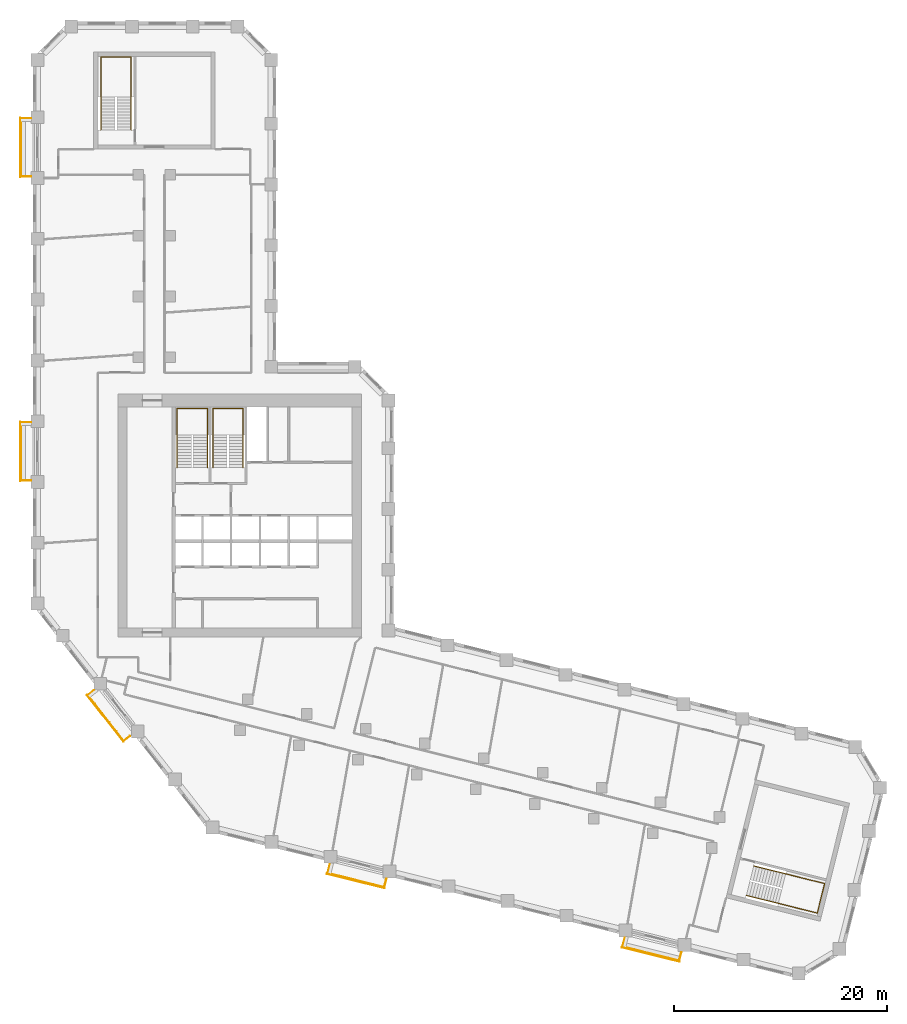
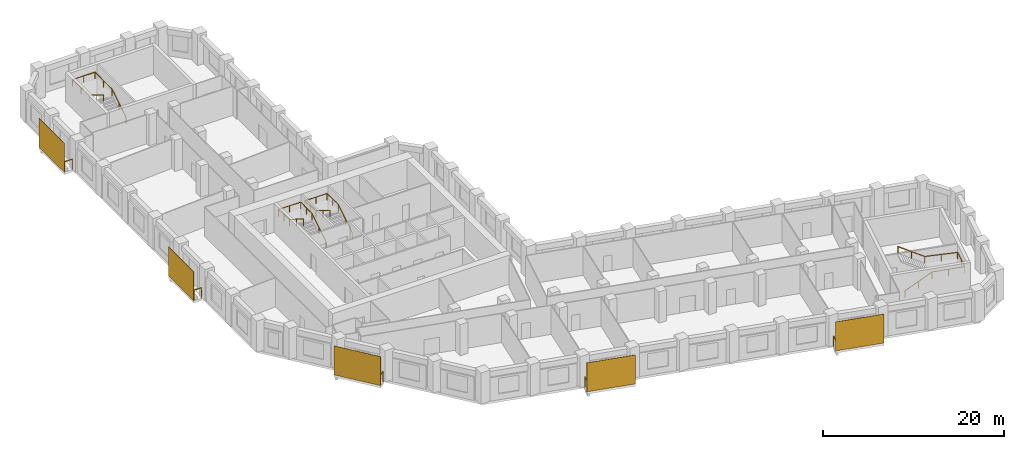
# One storey, part 10 of 10: 9 railings, 5 shading devices.
"""IFC4 building model written with IfcOpenShell, lengths in metres."""

from ifc_helpers import new_model, si_unit, direction, frame, origin, origin_2d, place, context, subcontext, project, spatial, rectangle, circle, extrude, material, layer, layer_set, type_object, element, save


model = new_model("IFC4")

# Units and contexts
model_context = context("Model", 3, precision=1e-05, world=origin(), true_north=direction((0.0, 1.0)))
body_context = subcontext(model_context, "Body", "Model", "MODEL_VIEW")
ifc_project = project(units=[si_unit("LENGTHUNIT", "METRE"), si_unit("AREAUNIT", "SQUARE_METRE"), si_unit("VOLUMEUNIT", "CUBIC_METRE"), si_unit("PLANEANGLEUNIT", "RADIAN"), si_unit("MASSUNIT", "GRAM", prefix="KILO")], contexts=[model_context])

# Site, building, storey
site_placement = place(None, origin())
site = spatial("IfcSite", under=ifc_project, at=site_placement, CompositionType="ELEMENT")
building_placement = place(site_placement, origin())
building = spatial("IfcBuilding", under=site, at=building_placement, Name="Meshkara Civic Tower", CompositionType="ELEMENT")
storey_placement = place(building_placement, frame((0.0, 0.0, 207.60009765625)))
storey = spatial("IfcBuildingStorey", under=building, at=storey_placement, Name="L47", CompositionType="ELEMENT", Elevation=207.60009765625)

# Railings
ifc_material_1 = material(Name="Steel S355", Category="steel")
railing_type_1 = type_object("IfcRailingType", Name="BALUSTRADE GUARD 1400", PredefinedType="BALUSTRADE", material=ifc_material_1)
for number, where, name in (
    (1, (-0.14990234375, 62.735107421875, 0.0), "Balcony guard"),
    (2, (-0.14990234375, 34.235107421875, 0.0), "Balcony guard"),
):
    element("IfcRailing", number, at=place(storey_placement, frame(where)), inside=storey, type_object=railing_type_1, Name=name, PredefinedType="BALUSTRADE", context=body_context, shape_type="SweptSolid", body=[
        extrude(circle(Radius=0.02392578125, at=origin_2d()), frame((0.0, 0.0, 1.3759765625), z_axis=(-1.0, 0.0, 0.0), x_axis=(0.0, -1.0, 0.0)), (0.0, 0.0, 1.0), 0.960205078125),
        extrude(circle(Radius=0.02392578125, at=origin_2d()), frame((-0.960205078125, 0.0, 1.3759765625), z_axis=(0.0, -1.0, 0.0), x_axis=(1.0, 0.0, 0.0)), (0.0, 0.0, 1.0), 5.460205078125),
        extrude(circle(Radius=0.02392578125, at=origin_2d()), frame((-0.960205078125, -5.460205078125, 1.3759765625), z_axis=(1.0, 0.0, 0.0), x_axis=(0.0, 1.0, 0.0)), (0.0, 0.0, 1.0), 0.960205078125),
        extrude(circle(Radius=0.02099609375, at=origin_2d()), origin(), (0.0, 0.0, 1.0), 1.351806640625),
        extrude(circle(Radius=0.02099609375, at=origin_2d()), frame((-0.960205078125, 0.0, 0.0)), (0.0, 0.0, 1.0), 1.351806640625),
        extrude(circle(Radius=0.02099609375, at=origin_2d()), frame((-0.960205078125, -1.092041015625, 0.0)), (0.0, 0.0, 1.0), 1.351806640625),
        extrude(circle(Radius=0.02099609375, at=origin_2d()), frame((-0.960205078125, -2.18408203125, 0.0)), (0.0, 0.0, 1.0), 1.351806640625),
        extrude(circle(Radius=0.02099609375, at=origin_2d()), frame((-0.960205078125, -3.276123046875, 0.0)), (0.0, 0.0, 1.0), 1.351806640625),
        extrude(circle(Radius=0.02099609375, at=origin_2d()), frame((-0.960205078125, -4.3681640625, 0.0)), (0.0, 0.0, 1.0), 1.351806640625),
        extrude(circle(Radius=0.02099609375, at=origin_2d()), frame((-0.960205078125, -5.460205078125, 0.0)), (0.0, 0.0, 1.0), 1.351806640625),
        extrude(circle(Radius=0.02099609375, at=origin_2d()), frame((0.0, -5.460205078125, 0.0)), (0.0, 0.0, 1.0), 1.351806640625),
    ])
railing_1_placement = place(storey_placement, frame((5.73388671875, 9.1240234375, 0.0)))
element("IfcRailing", 3, at=railing_1_placement, inside=storey, type_object=railing_type_1, Name="Balcony guard", PredefinedType="BALUSTRADE", context=body_context, shape_type="SweptSolid", body=[
    extrude(circle(Radius=0.02392578125, at=origin_2d()), frame((0.0, 0.0, 1.3759765625), z_axis=(-0.788014065721, -0.615657235989, 0.0), x_axis=(0.615657235989, -0.788014065721, 0.0)), (0.0, 0.0, 1.0), 0.71826171875),
    extrude(circle(Radius=0.02392578125, at=origin_2d()), frame((-0.56591796875, -0.442138671875, 1.3759765625), z_axis=(0.615684818606, -0.787992515281, 0.0), x_axis=(0.787992515281, 0.615684818606, 0.0)), (0.0, 0.0, 1.0), 5.460693359375),
    extrude(circle(Radius=0.02392578125, at=origin_2d()), frame((2.796142578125, -4.7451171875, 1.3759765625), z_axis=(0.788014065721, 0.615657235989, 0.0), x_axis=(-0.615657235989, 0.788014065721, 0.0)), (0.0, 0.0, 1.0), 0.71826171875),
    extrude(circle(Radius=0.02099609375, at=origin_2d()), origin(), (0.0, 0.0, 1.0), 1.351806640625),
    extrude(circle(Radius=0.02099609375, at=origin_2d()), frame((-0.56591796875, -0.442138671875, 0.0)), (0.0, 0.0, 1.0), 1.351806640625),
    extrude(circle(Radius=0.02099609375, at=origin_2d()), frame((0.1064453125, -1.302734375, 0.0)), (0.0, 0.0, 1.0), 1.351806640625),
    extrude(circle(Radius=0.02099609375, at=origin_2d()), frame((0.77880859375, -2.163330078125, 0.0)), (0.0, 0.0, 1.0), 1.351806640625),
    extrude(circle(Radius=0.02099609375, at=origin_2d()), frame((1.451416015625, -3.02392578125, 0.0)), (0.0, 0.0, 1.0), 1.351806640625),
    extrude(circle(Radius=0.02099609375, at=origin_2d()), frame((2.123779296875, -3.884521484375, 0.0)), (0.0, 0.0, 1.0), 1.351806640625),
    extrude(circle(Radius=0.02099609375, at=origin_2d()), frame((2.796142578125, -4.7451171875, 0.0)), (0.0, 0.0, 1.0), 1.351806640625),
    extrude(circle(Radius=0.02099609375, at=origin_2d()), frame((3.362060546875, -4.302978515625, 0.0)), (0.0, 0.0, 1.0), 1.351806640625),
])
railing_2_placement = place(storey_placement, frame((27.85302734375, -7.22998046875, 0.0)))
element("IfcRailing", 4, at=railing_2_placement, inside=storey, type_object=railing_type_1, Name="Balcony guard", PredefinedType="BALUSTRADE", context=body_context, shape_type="SweptSolid", body=[
    extrude(circle(Radius=0.02392578125, at=origin_2d()), frame((0.0, 0.0, 1.3759765625), z_axis=(-0.242673544463, -0.970108009872, 0.0), x_axis=(0.970108009872, -0.242673544463, 0.0)), (0.0, 0.0, 1.0), 0.8330078125),
    extrude(circle(Radius=0.02392578125, at=origin_2d()), frame((-0.2021484375, -0.80810546875, 1.3759765625), z_axis=(0.970302726319, -0.241893818229, 0.0), x_axis=(0.241893818229, 0.970302726319, 0.0)), (0.0, 0.0, 1.0), 5.460205078125),
    extrude(circle(Radius=0.02392578125, at=origin_2d()), frame((5.095947265625, -2.12890625, 1.3759765625), z_axis=(0.242466638965, 0.970159744057, 0.0), x_axis=(-0.970159744057, 0.242466638965, 0.0)), (0.0, 0.0, 1.0), 0.832763671875),
    extrude(circle(Radius=0.02099609375, at=origin_2d()), origin(), (0.0, 0.0, 1.0), 1.351806640625),
    extrude(circle(Radius=0.02099609375, at=origin_2d()), frame((-0.2021484375, -0.80810546875, 0.0)), (0.0, 0.0, 1.0), 1.351806640625),
    extrude(circle(Radius=0.02099609375, at=origin_2d()), frame((0.857421875, -1.072265625, 0.0)), (0.0, 0.0, 1.0), 1.351806640625),
    extrude(circle(Radius=0.02099609375, at=origin_2d()), frame((1.9169921875, -1.33642578125, 0.0)), (0.0, 0.0, 1.0), 1.351806640625),
    extrude(circle(Radius=0.02099609375, at=origin_2d()), frame((2.976806640625, -1.6005859375, 0.0)), (0.0, 0.0, 1.0), 1.351806640625),
    extrude(circle(Radius=0.02099609375, at=origin_2d()), frame((4.036376953125, -1.86474609375, 0.0)), (0.0, 0.0, 1.0), 1.351806640625),
    extrude(circle(Radius=0.02099609375, at=origin_2d()), frame((5.095947265625, -2.12890625, 0.0)), (0.0, 0.0, 1.0), 1.351806640625),
    extrude(circle(Radius=0.02099609375, at=origin_2d()), frame((5.2978515625, -1.321044921875, 0.0)), (0.0, 0.0, 1.0), 1.351806640625),
])
railing_3_placement = place(storey_placement, frame((55.506103515625, -14.125, 0.0)))
element("IfcRailing", 5, at=railing_3_placement, inside=storey, type_object=railing_type_1, Name="Balcony guard", PredefinedType="BALUSTRADE", context=body_context, shape_type="SweptSolid", body=[
    extrude(circle(Radius=0.02392578125, at=origin_2d()), frame((0.0, 0.0, 1.3759765625), z_axis=(-0.241569777604, -0.970383451296, 0.0), x_axis=(0.970383451296, -0.241569777604, 0.0)), (0.0, 0.0, 1.0), 0.832763671875),
    extrude(circle(Radius=0.02392578125, at=origin_2d()), frame((-0.201171875, -0.80810546875, 1.3759765625), z_axis=(0.970302726319, -0.241893818229, 0.0), x_axis=(0.241893818229, 0.970302726319, 0.0)), (0.0, 0.0, 1.0), 5.460205078125),
    extrude(circle(Radius=0.02392578125, at=origin_2d()), frame((5.096923828125, -2.12890625, 1.3759765625), z_axis=(0.242466638965, 0.970159744057, 0.0), x_axis=(-0.970159744057, 0.242466638965, 0.0)), (0.0, 0.0, 1.0), 0.832763671875),
    extrude(circle(Radius=0.02099609375, at=origin_2d()), origin(), (0.0, 0.0, 1.0), 1.351806640625),
    extrude(circle(Radius=0.02099609375, at=origin_2d()), frame((-0.201171875, -0.80810546875, 0.0)), (0.0, 0.0, 1.0), 1.351806640625),
    extrude(circle(Radius=0.02099609375, at=origin_2d()), frame((0.8583984375, -1.072265625, 0.0)), (0.0, 0.0, 1.0), 1.351806640625),
    extrude(circle(Radius=0.02099609375, at=origin_2d()), frame((1.91796875, -1.33642578125, 0.0)), (0.0, 0.0, 1.0), 1.351806640625),
    extrude(circle(Radius=0.02099609375, at=origin_2d()), frame((2.977783203125, -1.6005859375, 0.0)), (0.0, 0.0, 1.0), 1.351806640625),
    extrude(circle(Radius=0.02099609375, at=origin_2d()), frame((4.037353515625, -1.86474609375, 0.0)), (0.0, 0.0, 1.0), 1.351806640625),
    extrude(circle(Radius=0.02099609375, at=origin_2d()), frame((5.096923828125, -2.12890625, 0.0)), (0.0, 0.0, 1.0), 1.351806640625),
    extrude(circle(Radius=0.02099609375, at=origin_2d()), frame((5.298828125, -1.321044921875, 0.0)), (0.0, 0.0, 1.0), 1.351806640625),
])

# Shading devices
ifc_material_2 = material(Name="Perforated bronze anodised aluminium sheet", Category="aluminium")
ifc_layer = layer(ifc_material_2, 0.0400390625)
ifc_layer_set = layer_set([ifc_layer], Name="PERFORATED BRONZE SCREEN")
shading_device_type = type_object("IfcShadingDeviceType", Name="PERFORATED BRONZE SCREEN", PredefinedType="USERDEFINED", material=ifc_layer_set)
for number, where, z_axis, x_axis, name in (
    (6, (-1.179931640625, 60.0048828125, 0.0), (0.0, 0.0, 1.0), (0.0, -1.0, 0.0), "Balcony screen"),
    (7, (-1.179931640625, 31.5048828125, 0.0), (0.0, 0.0, 1.0), (0.0, -1.0, 0.0), "Balcony screen"),
):
    element("IfcShadingDevice", number, at=place(storey_placement, frame(where, z_axis=z_axis, x_axis=x_axis)), inside=storey, type_object=shading_device_type, Name=name, ObjectType="SCREEN", PredefinedType="USERDEFINED", context=body_context, shape_type="SweptSolid", body=[
        extrude(rectangle(XDim=5.580078125, YDim=0.0400390625, at=origin_2d()), origin(), (0.0, 0.0, 1.0), 3.89990234375),
    ])
shading_device_placement = place(storey_placement, frame((6.7939453125, 6.488037109375, 0.0), z_axis=(0.0, 0.0, 1.0), x_axis=(0.615661475326, -0.788010753607, 0.0)))
element("IfcShadingDevice", 8, at=shading_device_placement, inside=storey, type_object=shading_device_type, Name="Balcony screen", ObjectType="SCREEN", PredefinedType="USERDEFINED", context=body_context, shape_type="SweptSolid", body=[
    extrude(rectangle(XDim=5.5810546875, YDim=0.0400390625, at=origin_2d()), origin(), (0.0, 0.0, 1.0), 3.89990234375),
])
for number, where, z_axis, x_axis, name in (
    (9, (30.282958984375, -8.76708984375, 0.0), (0.0, 0.0, 1.0), (0.970299948462, -0.241904960708, 0.0), "Balcony screen"),
    (10, (57.93701171875, -15.660888671875, 0.0), (0.0, 0.0, 1.0), (0.970299948462, -0.241904960708, 0.0), "Balcony screen"),
):
    element("IfcShadingDevice", number, at=place(storey_placement, frame(where, z_axis=z_axis, x_axis=x_axis)), inside=storey, type_object=shading_device_type, Name=name, ObjectType="SCREEN", PredefinedType="USERDEFINED", context=body_context, shape_type="SweptSolid", body=[
        extrude(rectangle(XDim=5.580078125, YDim=0.0400390625, at=origin_2d()), origin(), (0.0, 0.0, 1.0), 3.89990234375),
    ])

# Railings
ifc_material_3 = material(Name="Steel handrail", Category="steel")
railing_type_2 = type_object("IfcRailingType", Name="Stair handrail 900", PredefinedType="HANDRAIL", material=ifc_material_3)
railing_4_placement = place(storey_placement, frame((16.375, 30.0, 0.1748046875)))
element("IfcRailing", 11, at=railing_4_placement, inside=storey, type_object=railing_type_2, Name="L47 ST1 stair handrail 1", PredefinedType="HANDRAIL", context=body_context, shape_type="SweptSolid", body=[
    extrude(circle(Radius=0.02392578125, at=origin_2d()), frame((0.0, 0.0, 0.8759765625), z_axis=(0.0, 0.847998304005, 0.529998940003), x_axis=(-1.0, 0.0, 0.0)), (0.0, 0.0, 1.0), 3.632080078125),
    extrude(circle(Radius=0.02392578125, at=origin_2d()), frame((0.0, 3.080078125, 2.80078125), z_axis=(0.0, 1.0, 0.0), x_axis=(-1.0, 0.0, 0.0)), (0.0, 0.0, 1.0), 2.469970703125),
    extrude(circle(Radius=0.02392578125, at=origin_2d()), frame((0.0, 5.550048828125, 2.80078125), z_axis=(-1.0, 0.0, 0.0), x_axis=(0.0, -1.0, 0.0)), (0.0, 0.0, 1.0), 2.85009765625),
    extrude(circle(Radius=0.02392578125, at=origin_2d()), frame((-2.85009765625, 5.550048828125, 2.80078125), z_axis=(0.0, -0.997498084828, 0.070693498747), x_axis=(1.0, 0.0, 0.0)), (0.0, 0.0, 1.0), 2.47607421875),
    extrude(circle(Radius=0.02392578125, at=origin_2d()), frame((-2.85009765625, 3.080078125, 2.97607421875), z_axis=(0.0, -0.847998304005, 0.529998940003), x_axis=(1.0, 0.0, 0.0)), (0.0, 0.0, 1.0), 3.632080078125),
    extrude(circle(Radius=0.02099609375, at=origin_2d()), origin(), (0.0, 0.0, 1.0), 0.851806640625),
    extrude(circle(Radius=0.02099609375, at=origin_2d()), frame((0.0, 1.5400390625, 0.96240234375)), (0.0, 0.0, 1.0), 0.851806640625),
    extrude(circle(Radius=0.02099609375, at=origin_2d()), frame((0.0, 3.080078125, 1.925048828125)), (0.0, 0.0, 1.0), 0.851806640625),
    extrude(circle(Radius=0.02099609375, at=origin_2d()), frame((0.0, 4.31494140625, 1.925048828125)), (0.0, 0.0, 1.0), 0.851806640625),
    extrude(circle(Radius=0.02099609375, at=origin_2d()), frame((0.0, 5.550048828125, 1.925048828125)), (0.0, 0.0, 1.0), 0.851806640625),
    extrude(circle(Radius=0.02099609375, at=origin_2d()), frame((-1.425048828125, 5.550048828125, 1.925048828125)), (0.0, 0.0, 1.0), 0.851806640625),
    extrude(circle(Radius=0.02099609375, at=origin_2d()), frame((-2.85009765625, 5.550048828125, 1.925048828125)), (0.0, 0.0, 1.0), 0.851806640625),
    extrude(circle(Radius=0.02099609375, at=origin_2d()), frame((-2.85009765625, 4.31494140625, 2.0126953125)), (0.0, 0.0, 1.0), 0.851806640625),
    extrude(circle(Radius=0.02099609375, at=origin_2d()), frame((-2.85009765625, 3.080078125, 2.10009765625)), (0.0, 0.0, 1.0), 0.851806640625),
    extrude(circle(Radius=0.02099609375, at=origin_2d()), frame((-2.85009765625, 1.5400390625, 3.0625)), (0.0, 0.0, 1.0), 0.851806640625),
    extrude(circle(Radius=0.02099609375, at=origin_2d()), frame((-2.85009765625, 0.0, 4.025146484375)), (0.0, 0.0, 1.0), 0.851806640625),
])
railing_5_placement = place(storey_placement, frame((19.72509765625, 30.0, 0.1748046875)))
element("IfcRailing", 12, at=railing_5_placement, inside=storey, type_object=railing_type_2, Name="L47 ST2 stair handrail 1", PredefinedType="HANDRAIL", context=body_context, shape_type="SweptSolid", body=[
    extrude(circle(Radius=0.02392578125, at=origin_2d()), frame((0.0, 0.0, 0.8759765625), z_axis=(0.0, 0.847998304005, 0.529998940003), x_axis=(-1.0, 0.0, 0.0)), (0.0, 0.0, 1.0), 3.632080078125),
    extrude(circle(Radius=0.02392578125, at=origin_2d()), frame((0.0, 3.080078125, 2.80078125), z_axis=(0.0, 1.0, 0.0), x_axis=(-1.0, 0.0, 0.0)), (0.0, 0.0, 1.0), 2.469970703125),
    extrude(circle(Radius=0.02392578125, at=origin_2d()), frame((0.0, 5.550048828125, 2.80078125), z_axis=(-1.0, 0.0, 0.0), x_axis=(0.0, -1.0, 0.0)), (0.0, 0.0, 1.0), 2.85009765625),
    extrude(circle(Radius=0.02392578125, at=origin_2d()), frame((-2.85009765625, 5.550048828125, 2.80078125), z_axis=(0.0, -0.997498084828, 0.070693498747), x_axis=(1.0, 0.0, 0.0)), (0.0, 0.0, 1.0), 2.47607421875),
    extrude(circle(Radius=0.02392578125, at=origin_2d()), frame((-2.85009765625, 3.080078125, 2.97607421875), z_axis=(0.0, -0.847998304005, 0.529998940003), x_axis=(1.0, 0.0, 0.0)), (0.0, 0.0, 1.0), 3.632080078125),
    extrude(circle(Radius=0.02099609375, at=origin_2d()), origin(), (0.0, 0.0, 1.0), 0.851806640625),
    extrude(circle(Radius=0.02099609375, at=origin_2d()), frame((0.0, 1.5400390625, 0.96240234375)), (0.0, 0.0, 1.0), 0.851806640625),
    extrude(circle(Radius=0.02099609375, at=origin_2d()), frame((0.0, 3.080078125, 1.925048828125)), (0.0, 0.0, 1.0), 0.851806640625),
    extrude(circle(Radius=0.02099609375, at=origin_2d()), frame((0.0, 4.31494140625, 1.925048828125)), (0.0, 0.0, 1.0), 0.851806640625),
    extrude(circle(Radius=0.02099609375, at=origin_2d()), frame((0.0, 5.550048828125, 1.925048828125)), (0.0, 0.0, 1.0), 0.851806640625),
    extrude(circle(Radius=0.02099609375, at=origin_2d()), frame((-1.425048828125, 5.550048828125, 1.925048828125)), (0.0, 0.0, 1.0), 0.851806640625),
    extrude(circle(Radius=0.02099609375, at=origin_2d()), frame((-2.85009765625, 5.550048828125, 1.925048828125)), (0.0, 0.0, 1.0), 0.851806640625),
    extrude(circle(Radius=0.02099609375, at=origin_2d()), frame((-2.85009765625, 4.31494140625, 2.0126953125)), (0.0, 0.0, 1.0), 0.851806640625),
    extrude(circle(Radius=0.02099609375, at=origin_2d()), frame((-2.85009765625, 3.080078125, 2.10009765625)), (0.0, 0.0, 1.0), 0.851806640625),
    extrude(circle(Radius=0.02099609375, at=origin_2d()), frame((-2.85009765625, 1.5400390625, 3.0625)), (0.0, 0.0, 1.0), 0.851806640625),
    extrude(circle(Radius=0.02099609375, at=origin_2d()), frame((-2.85009765625, 0.0, 4.025146484375)), (0.0, 0.0, 1.0), 0.851806640625),
])
railing_6_placement = place(storey_placement, frame((9.22509765625, 61.669921875, 0.1748046875)))
element("IfcRailing", 13, at=railing_6_placement, inside=storey, type_object=railing_type_2, Name="L47 ESA3 stair handrail 1", PredefinedType="HANDRAIL", context=body_context, shape_type="SweptSolid", body=[
    extrude(circle(Radius=0.02392578125, at=origin_2d()), frame((0.0, 0.0, 0.8759765625), z_axis=(0.0, 0.847998304005, 0.529998940003), x_axis=(-1.0, 0.0, 0.0)), (0.0, 0.0, 1.0), 3.632080078125),
    extrude(circle(Radius=0.02392578125, at=origin_2d()), frame((0.0, 3.080078125, 2.80078125), z_axis=(0.0, 1.0, 0.0), x_axis=(-1.0, 0.0, 0.0)), (0.0, 0.0, 1.0), 3.77001953125),
    extrude(circle(Radius=0.02392578125, at=origin_2d()), frame((0.0, 6.85009765625, 2.80078125), z_axis=(-1.0, 0.0, 0.0), x_axis=(0.0, -1.0, 0.0)), (0.0, 0.0, 1.0), 2.85009765625),
    extrude(circle(Radius=0.02392578125, at=origin_2d()), frame((-2.85009765625, 6.85009765625, 2.80078125), z_axis=(0.0, -0.9989237834, 0.046381838667), x_axis=(1.0, 0.0, 0.0)), (0.0, 0.0, 1.0), 3.774169921875),
    extrude(circle(Radius=0.02392578125, at=origin_2d()), frame((-2.85009765625, 3.080078125, 2.97607421875), z_axis=(0.0, -0.847998304005, 0.529998940003), x_axis=(1.0, 0.0, 0.0)), (0.0, 0.0, 1.0), 3.632080078125),
    extrude(circle(Radius=0.02099609375, at=origin_2d()), origin(), (0.0, 0.0, 1.0), 0.851806640625),
    extrude(circle(Radius=0.02099609375, at=origin_2d()), frame((0.0, 1.5400390625, 0.96240234375)), (0.0, 0.0, 1.0), 0.851806640625),
    extrude(circle(Radius=0.02099609375, at=origin_2d()), frame((0.0, 3.080078125, 1.925048828125)), (0.0, 0.0, 1.0), 0.851806640625),
    extrude(circle(Radius=0.02099609375, at=origin_2d()), frame((0.0, 4.965087890625, 1.925048828125)), (0.0, 0.0, 1.0), 0.851806640625),
    extrude(circle(Radius=0.02099609375, at=origin_2d()), frame((0.0, 6.85009765625, 1.925048828125)), (0.0, 0.0, 1.0), 0.851806640625),
    extrude(circle(Radius=0.02099609375, at=origin_2d()), frame((-1.425048828125, 6.85009765625, 1.925048828125)), (0.0, 0.0, 1.0), 0.851806640625),
    extrude(circle(Radius=0.02099609375, at=origin_2d()), frame((-2.85009765625, 6.85009765625, 1.925048828125)), (0.0, 0.0, 1.0), 0.851806640625),
    extrude(circle(Radius=0.02099609375, at=origin_2d()), frame((-2.85009765625, 4.965087890625, 2.0126953125)), (0.0, 0.0, 1.0), 0.851806640625),
    extrude(circle(Radius=0.02099609375, at=origin_2d()), frame((-2.85009765625, 3.080078125, 2.10009765625)), (0.0, 0.0, 1.0), 0.851806640625),
    extrude(circle(Radius=0.02099609375, at=origin_2d()), frame((-2.85009765625, 1.5400390625, 3.0625)), (0.0, 0.0, 1.0), 0.851806640625),
    extrude(circle(Radius=0.02099609375, at=origin_2d()), frame((-2.85009765625, 0.0, 4.025146484375)), (0.0, 0.0, 1.0), 0.851806640625),
])
railing_7_placement = place(storey_placement, frame((66.910888671875, -10.1123046875, 0.1748046875)))
element("IfcRailing", 14, at=railing_7_placement, inside=storey, type_object=railing_type_2, Name="L47 ESB3 stair handrail 1", PredefinedType="HANDRAIL", context=body_context, shape_type="SweptSolid", body=[
    extrude(circle(Radius=0.02392578125, at=origin_2d()), frame((0.0, 0.0, 0.8759765625), z_axis=(0.822816010835, -0.205082235851, 0.530014234575), x_axis=(0.241845469214, 0.970314778317, 0.0)), (0.0, 0.0, 1.0), 3.632080078125),
    extrude(circle(Radius=0.02392578125, at=origin_2d()), frame((2.988525390625, -0.744873046875, 2.80078125), z_axis=(0.970325068916, -0.241804178279, 0.0), x_axis=(0.241804178279, 0.970325068916, 0.0)), (0.0, 0.0, 1.0), 3.77001953125),
    extrude(circle(Radius=0.02392578125, at=origin_2d()), frame((6.646728515625, -1.656494140625, 2.80078125), z_axis=(0.24183009087, 0.970318611153, 0.0), x_axis=(-0.970318611153, 0.24183009087, 0.0)), (0.0, 0.0, 1.0), 2.849853515625),
    extrude(circle(Radius=0.02392578125, at=origin_2d()), frame((7.3359375, 1.10888671875, 2.80078125), z_axis=(-0.969280822407, 0.241543952941, 0.046381096481), x_axis=(-0.241804178279, -0.970325068916, 0.0)), (0.0, 0.0, 1.0), 3.774169921875),
    extrude(circle(Radius=0.02392578125, at=origin_2d()), frame((3.677734375, 2.0205078125, 2.97607421875), z_axis=(-0.822816010835, 0.205082235851, 0.530014234575), x_axis=(-0.241845469214, -0.970314778317, 0.0)), (0.0, 0.0, 1.0), 3.632080078125),
    extrude(circle(Radius=0.02099609375, at=origin_2d()), origin(), (0.0, 0.0, 1.0), 0.851806640625),
    extrude(circle(Radius=0.02099609375, at=origin_2d()), frame((1.494140625, -0.37255859375, 0.96240234375)), (0.0, 0.0, 1.0), 0.851806640625),
    extrude(circle(Radius=0.02099609375, at=origin_2d()), frame((2.988525390625, -0.744873046875, 1.925048828125)), (0.0, 0.0, 1.0), 0.851806640625),
    extrude(circle(Radius=0.02099609375, at=origin_2d()), frame((4.817626953125, -1.20068359375, 1.925048828125)), (0.0, 0.0, 1.0), 0.851806640625),
    extrude(circle(Radius=0.02099609375, at=origin_2d()), frame((6.646728515625, -1.656494140625, 1.925048828125)), (0.0, 0.0, 1.0), 0.851806640625),
    extrude(circle(Radius=0.02099609375, at=origin_2d()), frame((6.9912109375, -0.27392578125, 1.925048828125)), (0.0, 0.0, 1.0), 0.851806640625),
    extrude(circle(Radius=0.02099609375, at=origin_2d()), frame((7.3359375, 1.10888671875, 1.925048828125)), (0.0, 0.0, 1.0), 0.851806640625),
    extrude(circle(Radius=0.02099609375, at=origin_2d()), frame((5.5068359375, 1.564697265625, 2.0126953125)), (0.0, 0.0, 1.0), 0.851806640625),
    extrude(circle(Radius=0.02099609375, at=origin_2d()), frame((3.677734375, 2.0205078125, 2.10009765625)), (0.0, 0.0, 1.0), 0.851806640625),
    extrude(circle(Radius=0.02099609375, at=origin_2d()), frame((2.18359375, 2.39306640625, 3.0625)), (0.0, 0.0, 1.0), 0.851806640625),
    extrude(circle(Radius=0.02099609375, at=origin_2d()), frame((0.689208984375, 2.765380859375, 4.025146484375)), (0.0, 0.0, 1.0), 0.851806640625),
])

save(model, "model.ifc")
